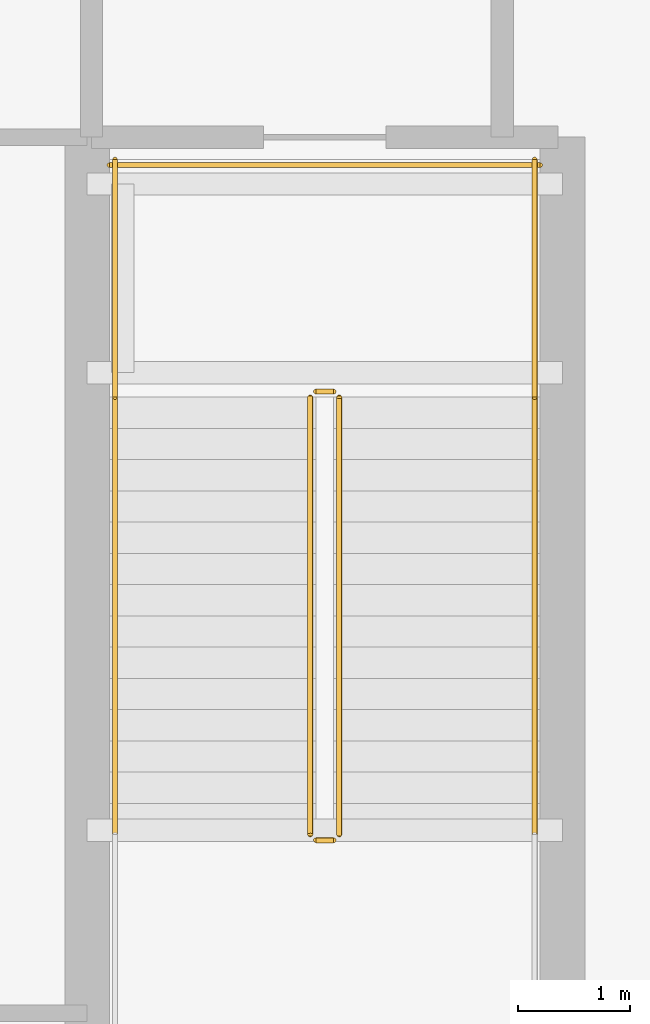
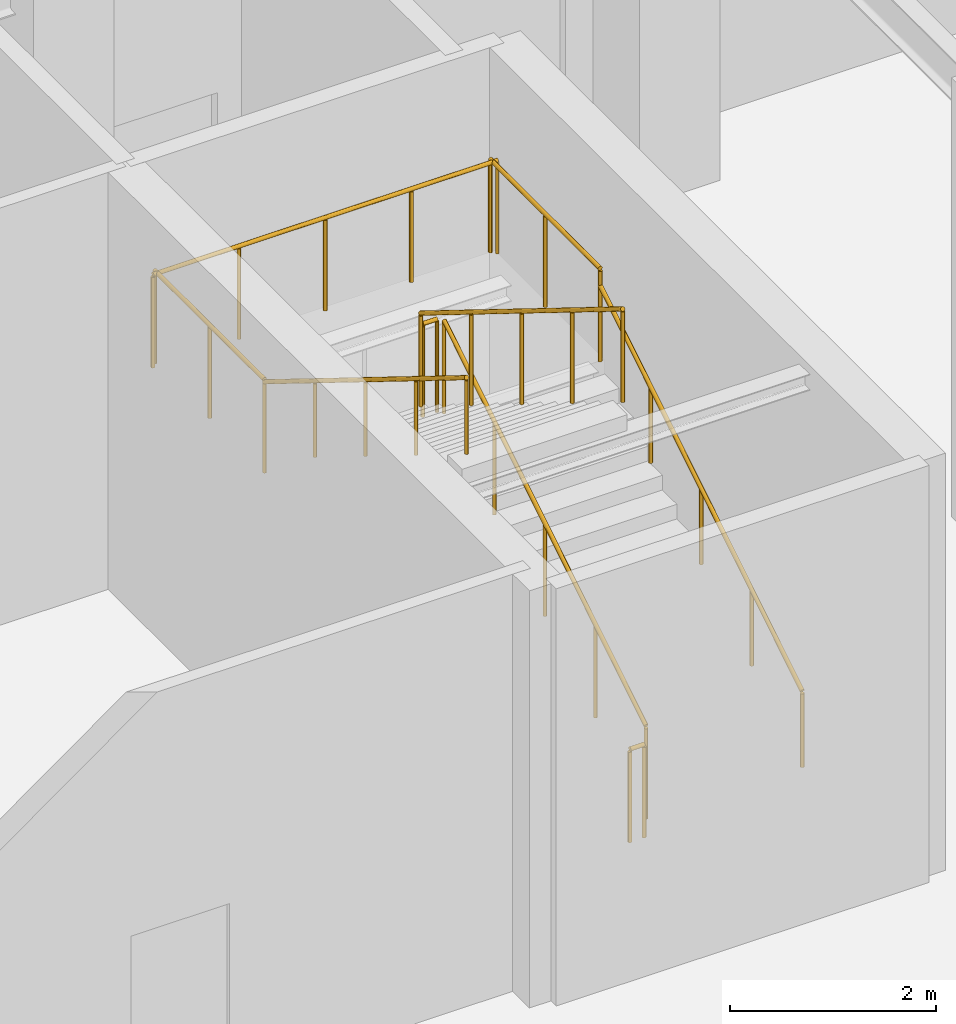
# One storey, part 14 of 15: 9 railings.
"""IFC4 building model written with IfcOpenShell, lengths in metres."""

from ifc_helpers import new_model, si_unit, direction, frame, origin, origin_2d, place, context, subcontext, project, spatial, circle, extrude, material, layer, layer_set, type_object, element, save


model = new_model("IFC4")

# Units and contexts
model_context = context("Model", 3, precision=1e-05, world=origin(), true_north=direction((0.0, 1.0)))
body_context = subcontext(model_context, "Body", "Model", "MODEL_VIEW")
ifc_project = project(units=[si_unit("LENGTHUNIT", "METRE"), si_unit("AREAUNIT", "SQUARE_METRE"), si_unit("VOLUMEUNIT", "CUBIC_METRE"), si_unit("PLANEANGLEUNIT", "RADIAN"), si_unit("MASSUNIT", "GRAM", prefix="KILO")], contexts=[model_context])

# Site, building, storey
site_placement = place(None, origin())
site = spatial("IfcSite", under=ifc_project, at=site_placement, CompositionType="ELEMENT")
building_placement = place(site_placement, origin())
building = spatial("IfcBuilding", under=site, at=building_placement, Name="Yelkora Congress Tower", CompositionType="ELEMENT")
storey_placement = place(building_placement, origin())
storey = spatial("IfcBuildingStorey", under=building, at=storey_placement, Name="L00", CompositionType="ELEMENT", Elevation=0.0)

# Railings
ifc_material_1 = material(Name="Painted galvanised steel stair well guard with vertical infill", Category="steel")
ifc_layer_1 = layer(ifc_material_1, 0.06005859375)
ifc_layer_set_1 = layer_set([ifc_layer_1], Name="Painted galvanised steel stair well guard with vertical infill")
railing_type_1 = type_object("IfcRailingType", Name="RAIL-STAIR-GUARD-1120", PredefinedType="GUARDRAIL", material=ifc_layer_set_1)
railing_1_placement = place(storey_placement, frame((66.659912109375, 39.89990234375, 0.17333984375)))
element("IfcRailing", 1, at=railing_1_placement, inside=storey, type_object=railing_type_1, Name="ST-P2 L00 Stair Well Guardrail 1", PredefinedType="GUARDRAIL", context=body_context, shape_type="SweptSolid", body=[
    extrude(circle(Radius=0.02392578125, at=origin_2d()), frame((0.0, 0.0, 1.09619140625), z_axis=(0.0, 0.850266275192, 0.526352791643), x_axis=(-1.0, 0.0, 0.0)), (0.0, 0.0, 1.0), 4.610595703125),
    extrude(circle(Radius=0.02099609375, at=origin_2d()), origin(), (0.0, 0.0, 1.0), 1.072021484375),
    extrude(circle(Radius=0.02099609375, at=origin_2d()), frame((0.0, 0.97998046875, 0.606689453125)), (0.0, 0.0, 1.0), 1.072021484375),
    extrude(circle(Radius=0.02099609375, at=origin_2d()), frame((0.0, 1.9599609375, 1.21337890625)), (0.0, 0.0, 1.0), 1.072021484375),
    extrude(circle(Radius=0.02099609375, at=origin_2d()), frame((0.0, 2.940185546875, 1.820068359375)), (0.0, 0.0, 1.0), 1.072021484375),
    extrude(circle(Radius=0.02099609375, at=origin_2d()), frame((0.0, 3.920166015625, 2.4267578125)), (0.0, 0.0, 1.0), 1.072021484375),
])
railing_2_placement = place(storey_placement, frame((66.610107421875, 43.8701171875, 2.60009765625)))
element("IfcRailing", 2, at=railing_2_placement, inside=storey, type_object=railing_type_1, Name="ST-P2 L00 Stair Well Guardrail 2", PredefinedType="GUARDRAIL", context=body_context, shape_type="SweptSolid", body=[
    extrude(circle(Radius=0.02392578125, at=origin_2d()), frame((0.0, 0.0, 1.09619140625), z_axis=(-1.0, 0.0, 0.0), x_axis=(0.0, -1.0, 0.0)), (0.0, 0.0, 1.0), 0.16015625),
    extrude(circle(Radius=0.02099609375, at=origin_2d()), origin(), (0.0, 0.0, 1.0), 1.072021484375),
    extrude(circle(Radius=0.02099609375, at=origin_2d()), frame((-0.16015625, 0.0, 0.0)), (0.0, 0.0, 1.0), 1.072021484375),
])
for number, where, name in (
    (3, (68.409912109375, 43.820068359375, 2.60009765625), "ST-P2 L00 Stair Well Guardrail 3"),
    (4, (64.64990234375, 43.820068359375, 2.60009765625), "ST-P2 L00 Stair Well Guardrail 4"),
):
    element("IfcRailing", number, at=place(storey_placement, frame(where)), inside=storey, type_object=railing_type_1, Name=name, PredefinedType="GUARDRAIL", context=body_context, shape_type="SweptSolid", body=[
        extrude(circle(Radius=0.02392578125, at=origin_2d()), frame((0.0, 0.0, 1.09619140625), z_axis=(0.0, 1.0, 0.0), x_axis=(-1.0, 0.0, 0.0)), (0.0, 0.0, 1.0), 2.1298828125),
        extrude(circle(Radius=0.02099609375, at=origin_2d()), origin(), (0.0, 0.0, 1.0), 1.072021484375),
        extrude(circle(Radius=0.02099609375, at=origin_2d()), frame((0.0, 1.06494140625, 0.0)), (0.0, 0.0, 1.0), 1.072021484375),
        extrude(circle(Radius=0.02099609375, at=origin_2d()), frame((0.0, 2.1298828125, 0.0)), (0.0, 0.0, 1.0), 1.072021484375),
    ])
railing_3_placement = place(storey_placement, frame((68.4599609375, 45.89990234375, 2.60009765625)))
element("IfcRailing", 5, at=railing_3_placement, inside=storey, type_object=railing_type_1, Name="ST-P2 L00 Stair Well Guardrail 5", PredefinedType="GUARDRAIL", context=body_context, shape_type="SweptSolid", body=[
    extrude(circle(Radius=0.02392578125, at=origin_2d()), frame((0.0, 0.0, 1.09619140625), z_axis=(-1.0, 0.0, 0.0), x_axis=(0.0, -1.0, 0.0)), (0.0, 0.0, 1.0), 3.85986328125),
    extrude(circle(Radius=0.02099609375, at=origin_2d()), origin(), (0.0, 0.0, 1.0), 1.072021484375),
    extrude(circle(Radius=0.02099609375, at=origin_2d()), frame((-0.96484375, 0.0, 0.0)), (0.0, 0.0, 1.0), 1.072021484375),
    extrude(circle(Radius=0.02099609375, at=origin_2d()), frame((-1.929931640625, 0.0, 0.0)), (0.0, 0.0, 1.0), 1.072021484375),
    extrude(circle(Radius=0.02099609375, at=origin_2d()), frame((-2.89501953125, 0.0, 0.0)), (0.0, 0.0, 1.0), 1.072021484375),
    extrude(circle(Radius=0.02099609375, at=origin_2d()), frame((-3.85986328125, 0.0, 0.0)), (0.0, 0.0, 1.0), 1.072021484375),
])
railing_4_placement = place(storey_placement, frame((66.39990234375, 43.820068359375, 2.7734375)))
element("IfcRailing", 6, at=railing_4_placement, inside=storey, type_object=railing_type_1, Name="ST-P2 L00 Stair Well Guardrail 6", PredefinedType="GUARDRAIL", context=body_context, shape_type="SweptSolid", body=[
    extrude(circle(Radius=0.02392578125, at=origin_2d()), frame((0.0, 0.0, 1.09619140625), z_axis=(0.0, -0.850289973577, 0.526314507528), x_axis=(1.0, 0.0, 0.0)), (0.0, 0.0, 1.0), 4.6103515625),
    extrude(circle(Radius=0.02099609375, at=origin_2d()), origin(), (0.0, 0.0, 1.0), 1.072021484375),
    extrude(circle(Radius=0.02099609375, at=origin_2d()), frame((0.0, -0.97998046875, 0.606689453125)), (0.0, 0.0, 1.0), 1.072021484375),
    extrude(circle(Radius=0.02099609375, at=origin_2d()), frame((0.0, -1.9599609375, 1.21337890625)), (0.0, 0.0, 1.0), 1.072021484375),
    extrude(circle(Radius=0.02099609375, at=origin_2d()), frame((0.0, -2.940185546875, 1.81982421875)), (0.0, 0.0, 1.0), 1.072021484375),
    extrude(circle(Radius=0.02099609375, at=origin_2d()), frame((0.0, -3.920166015625, 2.426513671875)), (0.0, 0.0, 1.0), 1.072021484375),
])
railing_5_placement = place(storey_placement, frame((66.610107421875, 39.85009765625, 0.0)))
element("IfcRailing", 7, at=railing_5_placement, inside=storey, type_object=railing_type_1, Name="ST-P2 L00 Stair Well Guardrail 7", PredefinedType="GUARDRAIL", context=body_context, shape_type="SweptSolid", body=[
    extrude(circle(Radius=0.02392578125, at=origin_2d()), frame((0.0, 0.0, 1.09619140625), z_axis=(-1.0, 0.0, 0.0), x_axis=(0.0, -1.0, 0.0)), (0.0, 0.0, 1.0), 0.16015625),
    extrude(circle(Radius=0.02099609375, at=origin_2d()), origin(), (0.0, 0.0, 1.0), 1.072021484375),
    extrude(circle(Radius=0.02099609375, at=origin_2d()), frame((-0.16015625, 0.0, 0.0)), (0.0, 0.0, 1.0), 1.072021484375),
])
ifc_material_2 = material(Name="Brushed stainless steel tubular handrail", Category="steel")
ifc_layer_2 = layer(ifc_material_2, 0.050048828125)
ifc_layer_set_2 = layer_set([ifc_layer_2], Name="Brushed stainless steel tubular handrail")
railing_type_2 = type_object("IfcRailingType", Name="RAIL-STAIR-HAND-920", PredefinedType="HANDRAIL", material=ifc_layer_set_2)
railing_6_placement = place(storey_placement, frame((68.409912109375, 39.89990234375, 0.17333984375)))
element("IfcRailing", 8, at=railing_6_placement, inside=storey, type_object=railing_type_2, Name="ST-P2 L00 Pitch Handrail 1", PredefinedType="HANDRAIL", context=body_context, shape_type="SweptSolid", body=[
    extrude(circle(Radius=0.02392578125, at=origin_2d()), frame((0.0, 0.0, 0.89599609375), z_axis=(0.0, 0.850266275192, 0.526352791643), x_axis=(-1.0, 0.0, 0.0)), (0.0, 0.0, 1.0), 4.610595703125),
    extrude(circle(Radius=0.02099609375, at=origin_2d()), origin(), (0.0, 0.0, 1.0), 0.871826171875),
    extrude(circle(Radius=0.02099609375, at=origin_2d()), frame((0.0, 0.97998046875, 0.606689453125)), (0.0, 0.0, 1.0), 0.871826171875),
    extrude(circle(Radius=0.02099609375, at=origin_2d()), frame((0.0, 1.9599609375, 1.21337890625)), (0.0, 0.0, 1.0), 0.871826171875),
    extrude(circle(Radius=0.02099609375, at=origin_2d()), frame((0.0, 2.940185546875, 1.820068359375)), (0.0, 0.0, 1.0), 0.871826171875),
    extrude(circle(Radius=0.02099609375, at=origin_2d()), frame((0.0, 3.920166015625, 2.4267578125)), (0.0, 0.0, 1.0), 0.871826171875),
])
railing_7_placement = place(storey_placement, frame((64.64990234375, 43.820068359375, 2.7734375)))
element("IfcRailing", 9, at=railing_7_placement, inside=storey, type_object=railing_type_2, Name="ST-P2 L00 Pitch Handrail 2", PredefinedType="HANDRAIL", context=body_context, shape_type="SweptSolid", body=[
    extrude(circle(Radius=0.02392578125, at=origin_2d()), frame((0.0, 0.0, 0.89599609375), z_axis=(0.0, -0.850289973577, 0.526314507528), x_axis=(1.0, 0.0, 0.0)), (0.0, 0.0, 1.0), 4.6103515625),
    extrude(circle(Radius=0.02099609375, at=origin_2d()), origin(), (0.0, 0.0, 1.0), 0.871826171875),
    extrude(circle(Radius=0.02099609375, at=origin_2d()), frame((0.0, -0.97998046875, 0.606689453125)), (0.0, 0.0, 1.0), 0.871826171875),
    extrude(circle(Radius=0.02099609375, at=origin_2d()), frame((0.0, -1.9599609375, 1.21337890625)), (0.0, 0.0, 1.0), 0.871826171875),
    extrude(circle(Radius=0.02099609375, at=origin_2d()), frame((0.0, -2.940185546875, 1.81982421875)), (0.0, 0.0, 1.0), 0.871826171875),
    extrude(circle(Radius=0.02099609375, at=origin_2d()), frame((0.0, -3.920166015625, 2.426513671875)), (0.0, 0.0, 1.0), 0.871826171875),
])

save(model, "model.ifc")
